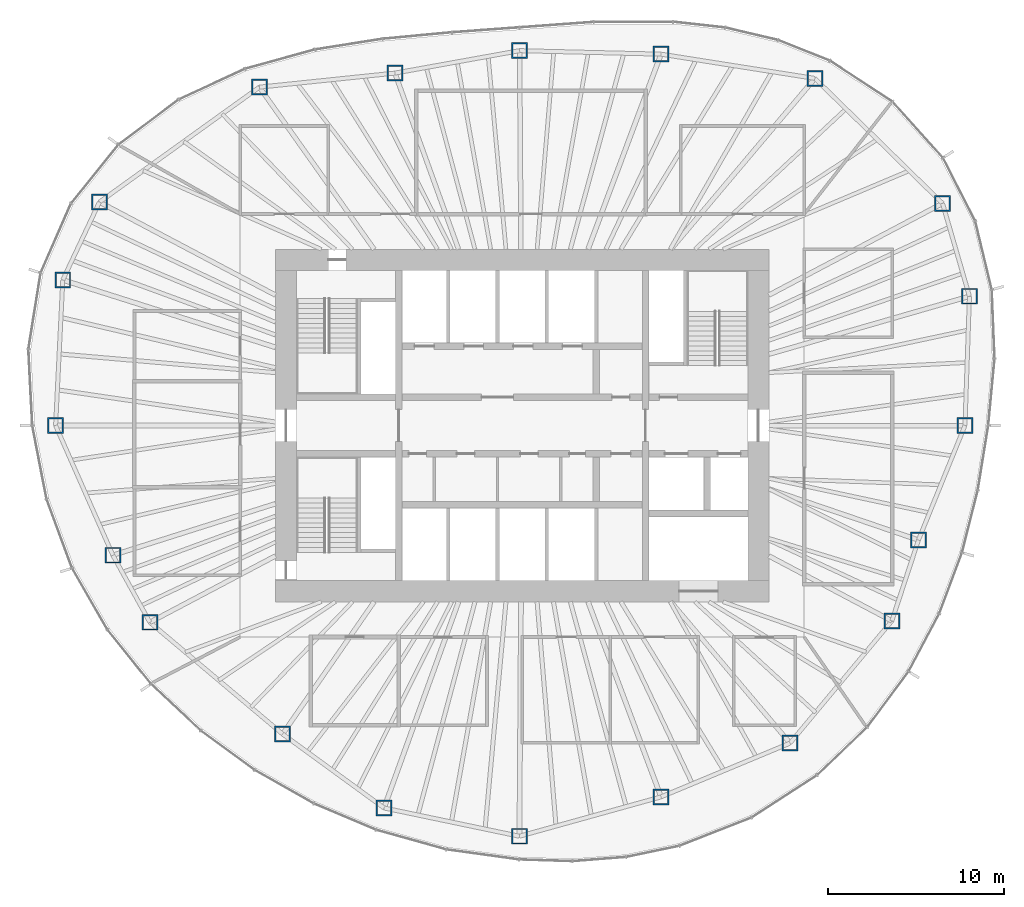
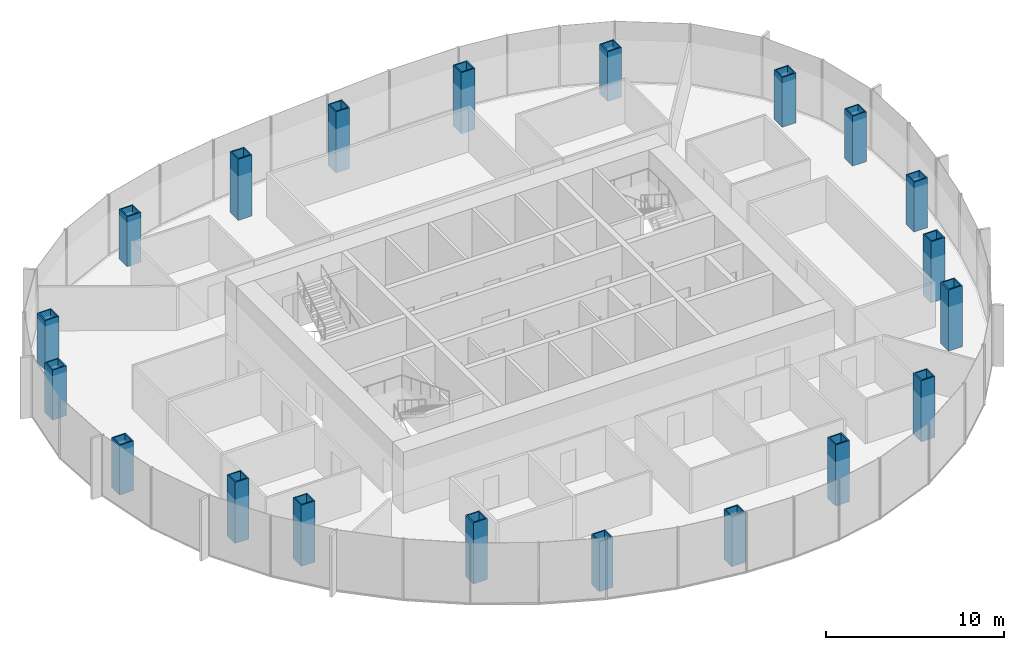
# One storey, part 1 of 11: 20 columns.
"""IFC4 building model written with IfcOpenShell, lengths in metres."""

import ifcopenshell
import ifcopenshell.guid

model = None  # the IFC model being written
_history = None  # IfcOwnerHistory: only IFC2X3 demands one
_inside = {}  # id of a spatial element -> (the spatial element, [elements in it])
_under = {}  # id of a project, library or spatial element -> (it, [spatial elements below it])
_declared = {}  # id of a project -> (the project, [libraries it declares])
_typed = {}  # id of a type object -> (the type object, [elements of that type])
_made_of = {}  # id of a material, layer set ... -> (it, [elements and type objects made of it])


def new_model(schema):
    """Start an empty IFC model of exactly this schema.

    Asked for "IFC4X3", IfcOpenShell would pick the latest addendum, in which some entities
    have other attributes; the version numbers below select the first issue.
    IFC2X3 requires an IfcOwnerHistory on every rooted entity: one is made here for all.
    """
    global model, _history
    if schema == "IFC4X3":
        model = ifcopenshell.file(schema_version=(4, 3, 0, 0))
    else:
        model = ifcopenshell.file(schema=schema)
    _inside.clear()
    _under.clear()
    _declared.clear()
    _typed.clear()
    _made_of.clear()
    _history = None
    if model.schema == "IFC2X3":
        org = make("IfcOrganization", Name="unknown")
        user = make(
            "IfcPersonAndOrganization",
            ThePerson=make("IfcPerson", FamilyName="unknown"),
            TheOrganization=org,
        )
        app = make(
            "IfcApplication",
            ApplicationDeveloper=org,
            Version="unknown",
            ApplicationFullName="unknown",
            ApplicationIdentifier="unknown",
        )
        _history = make(
            "IfcOwnerHistory",
            OwningUser=user,
            OwningApplication=app,
            ChangeAction="ADDED",
            CreationDate=0,
        )
    return model


def make(cls, **values):
    """One entity of the class cls with the attributes given. An attribute that is None is left unset."""
    return model.create_entity(
        cls, **{name: value for name, value in values.items() if value is not None}
    )


def rooted(cls, **values):
    """An entity with a GlobalId (a new one), such as an element, a storey or a relation."""
    return make(cls, GlobalId=ifcopenshell.guid.new(), OwnerHistory=_history, **values)


def si_unit(unit_type, name, prefix=None):
    """IfcSIUnit, for example si_unit("LENGTHUNIT", "METRE", prefix="MILLI")."""
    return make("IfcSIUnit", UnitType=unit_type, Prefix=prefix, Name=name)


def assignment(units):
    """IfcUnitAssignment: the units of a project."""
    return None if units is None else make("IfcUnitAssignment", Units=units)


def point(xyz):
    """IfcCartesianPoint."""
    return None if xyz is None else make("IfcCartesianPoint", Coordinates=xyz)


def direction(xyz):
    """IfcDirection."""
    return None if xyz is None else make("IfcDirection", DirectionRatios=xyz)


def frame(location, z_axis=None, x_axis=None):
    """IfcAxis2Placement3D, a coordinate frame: its origin and axes. An axis left out is left unset."""
    return make(
        "IfcAxis2Placement3D",
        Location=point(location),
        Axis=direction(z_axis),
        RefDirection=direction(x_axis),
    )


def frame_2d(location, x_axis=None):
    """IfcAxis2Placement2D, a coordinate frame in the plane: its origin and x axis."""
    return make(
        "IfcAxis2Placement2D", Location=point(location), RefDirection=direction(x_axis)
    )


def origin():
    """The frame at (0, 0, 0) with its axes left unset."""
    return frame((0.0, 0.0, 0.0))


def origin_2d():
    """The frame at (0, 0) in the plane with its x axis left unset."""
    return frame_2d((0.0, 0.0))


def place(relative_to, where):
    """IfcLocalPlacement: puts the frame where relative to a parent placement (None: the world)."""
    return make(
        "IfcLocalPlacement", PlacementRelTo=relative_to, RelativePlacement=where
    )


def context(
    kind, dimensions, precision=None, world=None, true_north=None, identifier=None
):
    """IfcGeometricRepresentationContext, for example the 3D "Model" context."""
    return make(
        "IfcGeometricRepresentationContext",
        ContextIdentifier=identifier,
        ContextType=kind,
        CoordinateSpaceDimension=dimensions,
        Precision=precision,
        WorldCoordinateSystem=world,
        TrueNorth=true_north,
    )


def subcontext(parent, identifier, kind, view, scale=None):
    """IfcGeometricRepresentationSubContext, for example "Body" below "Model"."""
    return make(
        "IfcGeometricRepresentationSubContext",
        ContextIdentifier=identifier,
        ContextType=kind,
        ParentContext=parent,
        TargetScale=scale,
        TargetView=view,
    )


def project(units=None, contexts=None):
    """IfcProject with its units and contexts."""
    return rooted(
        "IfcProject",
        Name="project",
        RepresentationContexts=contexts,
        UnitsInContext=assignment(units),
    )


def spatial(cls, under=None, at=None, **own):
    """A site, building, storey or space (cls), placed at a placement, below another one or the project."""
    s = rooted(cls, ObjectPlacement=at, **own)
    if under is not None:
        _under.setdefault(under.id(), (under, []))[1].append(s)
    return s


def profile(cls, at=None, kind="AREA", **sizes):
    """A parametric profile (cls). Its sizes go by their IFC names, for example OverallWidth=200.0."""
    return make(cls, ProfileType=kind, Position=at, **sizes)


def hollow_rectangle(**sizes):
    """IfcRectangleHollowProfileDef."""
    return profile("IfcRectangleHollowProfileDef", **sizes)


def extrude(swept, where, along, depth):
    """IfcExtrudedAreaSolid: the profile swept, set in the frame where, extruded along a direction by depth."""
    return make(
        "IfcExtrudedAreaSolid",
        SweptArea=swept,
        Position=where,
        ExtrudedDirection=direction(along),
        Depth=depth,
    )


def shape(context_of_items, identifier, shape_type, items):
    """IfcShapeRepresentation: the items that make up one representation, for example the "Body"."""
    return make(
        "IfcShapeRepresentation",
        ContextOfItems=context_of_items,
        RepresentationIdentifier=identifier,
        RepresentationType=shape_type,
        Items=items,
    )


def material(Name=None, Category=None):
    """IfcMaterial."""
    return make("IfcMaterial", Name=Name, Category=Category)


def material_profile(
    of_material, cross_section, Name=None, Category=None, Priority=None
):
    """IfcMaterialProfile: a cross section and its material."""
    return make(
        "IfcMaterialProfile",
        Name=Name,
        Material=of_material,
        Profile=cross_section,
        Priority=Priority,
        Category=Category,
    )


def profile_set(profiles, Name=None, composite=None):
    """IfcMaterialProfileSet."""
    return make(
        "IfcMaterialProfileSet",
        Name=Name,
        MaterialProfiles=profiles,
        CompositeProfile=composite,
    )


def made_of(thing, what):
    """Note that an element or type object is made of a material, layer set ...; save() writes the relation."""
    if what is not None:
        _made_of.setdefault(what.id(), (what, []))[1].append(thing)
    return thing


def type_object(cls, material=None, **own):
    """A type object (cls), such as IfcWallType, which elements share."""
    return made_of(rooted(cls, **own), material)


def element(
    cls,
    number,
    at=None,
    inside=None,
    cuts=None,
    type_object=None,
    material=None,
    context=None,
    identifier="Body",
    shape_type=None,
    held_by="IfcProductDefinitionShape",
    body=None,
    shapes=None,
    **own,
):
    """One element of the class cls, such as IfcWall. Its Tag is "e" and its number.

    at: its placement. inside: the storey or other place that contains it. cuts: it is an
    opening in that element (IfcRelVoidsElement). A single representation is given by context,
    identifier, shape_type and body (its items); several are given by shapes. held_by: the class
    of the entity that holds the representations. save() writes the other relations.
    """
    e = rooted(cls, Tag="e%d" % number, ObjectPlacement=at, **own)
    if body is not None:
        shapes = [shape(context, identifier, shape_type, body)]
    if shapes is not None:
        e.Representation = make(held_by, Representations=shapes)
    if inside is not None:
        _inside.setdefault(inside.id(), (inside, []))[1].append(e)
    if cuts is not None:
        rooted(
            "IfcRelVoidsElement", RelatingBuildingElement=cuts, RelatedOpeningElement=e
        )
    if type_object is not None:
        _typed.setdefault(type_object.id(), (type_object, []))[1].append(e)
    return made_of(e, material)


def aggregate(whole, parts):
    """IfcRelAggregates: a whole, such as a stair, and the parts it consists of."""
    return rooted("IfcRelAggregates", RelatingObject=whole, RelatedObjects=parts)


def save(model, path):
    """Write the relations noted so far, then the file.

    IfcRelAggregates (storeys below a building ...), IfcRelContainedInSpatialStructure (elements
    in a storey), IfcRelDefinesByType, IfcRelAssociatesMaterial and IfcRelDeclares: one each for
    every whole, place, type object, material and project.
    """
    for whole, parts in _under.values():
        aggregate(whole, parts)
    for where, things in _inside.values():
        rooted(
            "IfcRelContainedInSpatialStructure",
            RelatedElements=things,
            RelatingStructure=where,
        )
    for kind, things in _typed.values():
        rooted("IfcRelDefinesByType", RelatedObjects=things, RelatingType=kind)
    for what, things in _made_of.values():
        rooted("IfcRelAssociatesMaterial", RelatedObjects=things, RelatingMaterial=what)
    for by, libraries in _declared.values():
        rooted("IfcRelDeclares", RelatingContext=by, RelatedDefinitions=libraries)
    model.write(path)


model = new_model("IFC4")

# Units and contexts
model_context = context("Model", 3, precision=1e-05, world=origin(), true_north=direction((0.0, 1.0)))
body_context = subcontext(model_context, "Body", "Model", "MODEL_VIEW")
ifc_project = project(units=[si_unit("LENGTHUNIT", "METRE"), si_unit("AREAUNIT", "SQUARE_METRE"), si_unit("VOLUMEUNIT", "CUBIC_METRE"), si_unit("PLANEANGLEUNIT", "RADIAN"), si_unit("MASSUNIT", "GRAM", prefix="KILO")], contexts=[model_context])

# Site, building, storey
site_placement = place(None, origin())
site = spatial("IfcSite", under=ifc_project, at=site_placement, CompositionType="ELEMENT")
building_placement = place(site_placement, origin())
building = spatial("IfcBuilding", under=site, at=building_placement, Name="Ghaith Harvest Tower", CompositionType="ELEMENT")
storey_placement = place(building_placement, frame((0.0, 0.0, 262.0)))
storey = spatial("IfcBuildingStorey", under=building, at=storey_placement, Name="L58", CompositionType="ELEMENT", Elevation=262.0)

# Columns
ifc_material = material(Name="Steel S460M", Category="steel")
ifc_material_profile = material_profile(ifc_material, hollow_rectangle(XDim=0.89990234375, YDim=0.89990234375, WallThickness=0.080078125, at=origin_2d()), Name="BOX900X900X80")
ifc_profile_set = profile_set([ifc_material_profile], Name="Steel S460M")
column_type = type_object("IfcColumnType", Name="TS1 BOX900X900X80", PredefinedType="COLUMN", material=ifc_profile_set)
for number, where, z_axis, x_axis, name in (
    (1, (25.125, 0.0, 0.0), (0.0, 0.0, 1.0), (1.0, 0.0, 0.0), "Perimeter column C01"),
    (2, (25.3779296875, 7.3349609375, 0.0), (0.0, 0.0, 1.0), (1.0, 0.0, 0.0), "Perimeter column C02"),
    (3, (23.85205078125, 12.60693359375, 0.0), (0.0, 0.0, 1.0), (1.0, 0.0, 0.0), "Perimeter column C03"),
    (4, (16.60791015625, 19.695068359375, 0.0), (0.0, 0.0, 1.0), (1.0, 0.0, 0.0), "Perimeter column C04"),
):
    element("IfcColumn", number, at=place(storey_placement, frame(where, z_axis=z_axis, x_axis=x_axis)), inside=storey, type_object=column_type, Name=name, PredefinedType="COLUMN", context=body_context, shape_type="SweptSolid", body=[
        extrude(hollow_rectangle(XDim=0.89990234375, YDim=0.89990234375, WallThickness=0.080078125, at=origin_2d()), origin(), (0.0, 0.0, 1.0), 3.425048828125),
    ])
for number, where, z_axis, x_axis, name in (
    (5, (7.8779296875, 21.072021484375, 0.0), (0.0, 0.0, 1.0), (1.0, 0.0, 0.0), "Perimeter column C05"),
    (6, (-0.14599609375, 21.27099609375, 0.0), (0.0, 0.0, 1.0), (1.0, 0.0, 0.0), "Perimeter column C06"),
    (7, (-7.221923828125, 19.9970703125, 0.0), (0.0, 0.0, 1.0), (1.0, 0.0, 0.0), "Perimeter column C07"),
):
    element("IfcColumn", number, at=place(storey_placement, frame(where, z_axis=z_axis, x_axis=x_axis)), inside=storey, type_object=column_type, Name=name, PredefinedType="COLUMN", context=body_context, shape_type="SweptSolid", body=[
        extrude(hollow_rectangle(XDim=0.89990234375, YDim=0.89990234375, WallThickness=0.080078125, at=origin_2d()), origin(), (0.0, 0.0, 1.0), 4.199951171875),
    ])
for number, where, z_axis, x_axis, name in (
    (8, (-14.910888671875, 19.199951171875, 0.0), (0.0, 0.0, 1.0), (1.0, 0.0, 0.0), "Perimeter column C08"),
    (9, (-23.986083984375, 12.677978515625, 0.0), (0.0, 0.0, 1.0), (1.0, 0.0, 0.0), "Perimeter column C09"),
    (10, (-26.06689453125, 8.260986328125, 0.0), (0.0, 0.0, 1.0), (1.0, 0.0, 0.0), "Perimeter column C10"),
    (11, (-26.47509765625, 0.0, 0.0), (0.0, 0.0, 1.0), (1.0, 0.0, 0.0), "Perimeter column C11"),
):
    element("IfcColumn", number, at=place(storey_placement, frame(where, z_axis=z_axis, x_axis=x_axis)), inside=storey, type_object=column_type, Name=name, PredefinedType="COLUMN", context=body_context, shape_type="SweptSolid", body=[
        extrude(hollow_rectangle(XDim=0.89990234375, YDim=0.89990234375, WallThickness=0.080078125, at=origin_2d()), origin(), (0.0, 0.0, 1.0), 3.425048828125),
    ])
for number, where, z_axis, x_axis, name in (
    (12, (-23.22412109375, -7.360107421875, 0.0), (0.0, 0.0, 1.0), (1.0, 0.0, 0.0), "Perimeter column C12"),
    (13, (-21.125, -11.166015625, 0.0), (0.0, 0.0, 1.0), (1.0, 0.0, 0.0), "Perimeter column C13"),
    (14, (-13.594970703125, -17.5048828125, 0.0), (0.0, 0.0, 1.0), (1.0, 0.0, 0.0), "Perimeter column C14"),
):
    element("IfcColumn", number, at=place(storey_placement, frame(where, z_axis=z_axis, x_axis=x_axis)), inside=storey, type_object=column_type, Name=name, PredefinedType="COLUMN", context=body_context, shape_type="SweptSolid", body=[
        extrude(hollow_rectangle(XDim=0.89990234375, YDim=0.89990234375, WallThickness=0.080078125, at=origin_2d()), origin(), (0.0, 0.0, 1.0), 4.199951171875),
    ])
for number, where, z_axis, x_axis, name in (
    (15, (-7.837890625, -21.699951171875, 0.0), (0.0, 0.0, 1.0), (1.0, 0.0, 0.0), "Perimeter column C15"),
    (16, (-0.158935546875, -23.304931640625, 0.0), (0.0, 0.0, 1.0), (1.0, 0.0, 0.0), "Perimeter column C16"),
):
    element("IfcColumn", number, at=place(storey_placement, frame(where, z_axis=z_axis, x_axis=x_axis)), inside=storey, type_object=column_type, Name=name, PredefinedType="COLUMN", context=body_context, shape_type="SweptSolid", body=[
        extrude(hollow_rectangle(XDim=0.89990234375, YDim=0.89990234375, WallThickness=0.080078125, at=origin_2d()), origin(), (0.0, 0.0, 1.0), 3.425048828125),
    ])
for number, where, z_axis, x_axis, name in (
    (17, (7.8779296875, -21.072021484375, 0.0), (0.0, 0.0, 1.0), (1.0, 0.0, 0.0), "Perimeter column C17"),
    (18, (15.197998046875, -18.02294921875, 0.0), (0.0, 0.0, 1.0), (1.0, 0.0, 0.0), "Perimeter column C18"),
    (19, (20.97705078125, -11.087890625, 0.0), (0.0, 0.0, 1.0), (1.0, 0.0, 0.0), "Perimeter column C19"),
    (20, (22.485107421875, -6.4990234375, 0.0), (0.0, 0.0, 1.0), (1.0, 0.0, 0.0), "Perimeter column C20"),
):
    element("IfcColumn", number, at=place(storey_placement, frame(where, z_axis=z_axis, x_axis=x_axis)), inside=storey, type_object=column_type, Name=name, PredefinedType="COLUMN", context=body_context, shape_type="SweptSolid", body=[
        extrude(hollow_rectangle(XDim=0.89990234375, YDim=0.89990234375, WallThickness=0.080078125, at=origin_2d()), origin(), (0.0, 0.0, 1.0), 4.199951171875),
    ])

save(model, "model.ifc")
